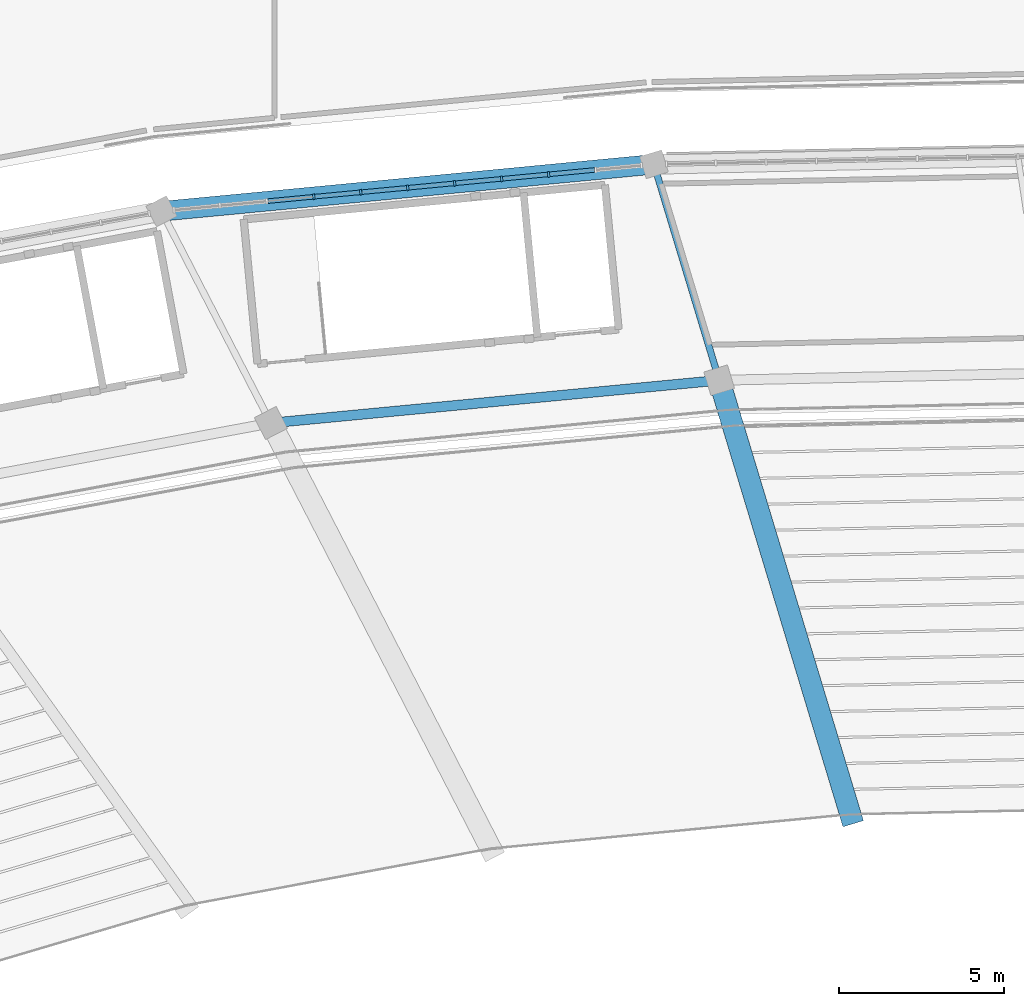
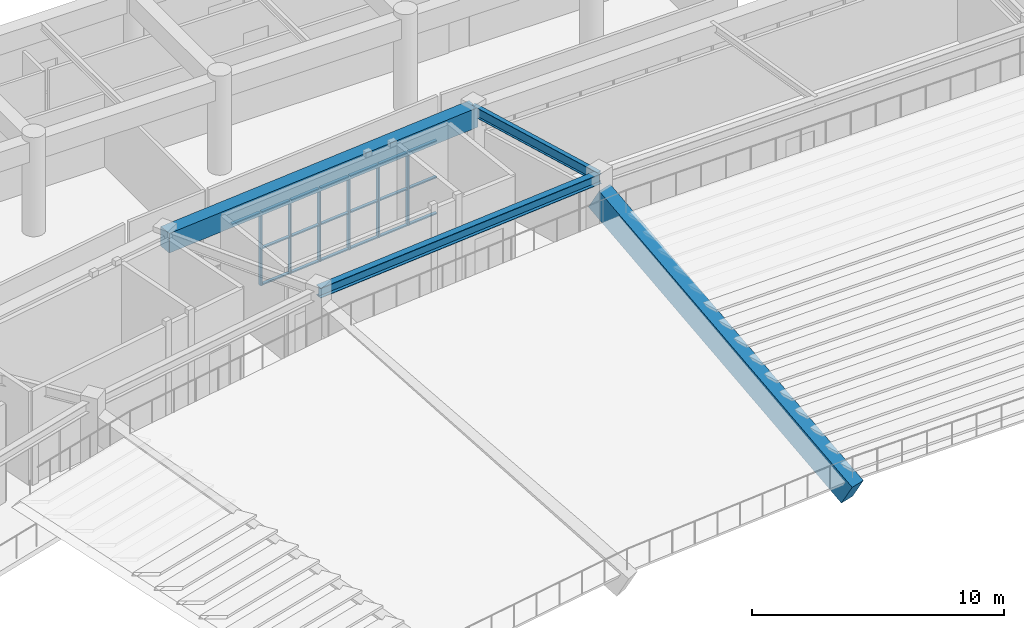
# One storey, part 59 of 137: 25 members, 4 beams, 1 element without a shape of its own.
"""IFC4 building model written with IfcOpenShell, lengths in metres."""

import ifcopenshell
import ifcopenshell.guid

model = None  # the IFC model being written
_history = None  # IfcOwnerHistory: only IFC2X3 demands one
_inside = {}  # id of a spatial element -> (the spatial element, [elements in it])
_under = {}  # id of a project, library or spatial element -> (it, [spatial elements below it])
_declared = {}  # id of a project -> (the project, [libraries it declares])
_typed = {}  # id of a type object -> (the type object, [elements of that type])
_made_of = {}  # id of a material, layer set ... -> (it, [elements and type objects made of it])


def new_model(schema):
    """Start an empty IFC model of exactly this schema.

    Asked for "IFC4X3", IfcOpenShell would pick the latest addendum, in which some entities
    have other attributes; the version numbers below select the first issue.
    IFC2X3 requires an IfcOwnerHistory on every rooted entity: one is made here for all.
    """
    global model, _history
    if schema == "IFC4X3":
        model = ifcopenshell.file(schema_version=(4, 3, 0, 0))
    else:
        model = ifcopenshell.file(schema=schema)
    _inside.clear()
    _under.clear()
    _declared.clear()
    _typed.clear()
    _made_of.clear()
    _history = None
    if model.schema == "IFC2X3":
        org = make("IfcOrganization", Name="unknown")
        user = make(
            "IfcPersonAndOrganization",
            ThePerson=make("IfcPerson", FamilyName="unknown"),
            TheOrganization=org,
        )
        app = make(
            "IfcApplication",
            ApplicationDeveloper=org,
            Version="unknown",
            ApplicationFullName="unknown",
            ApplicationIdentifier="unknown",
        )
        _history = make(
            "IfcOwnerHistory",
            OwningUser=user,
            OwningApplication=app,
            ChangeAction="ADDED",
            CreationDate=0,
        )
    return model


def make(cls, **values):
    """One entity of the class cls with the attributes given. An attribute that is None is left unset."""
    return model.create_entity(
        cls, **{name: value for name, value in values.items() if value is not None}
    )


def rooted(cls, **values):
    """An entity with a GlobalId (a new one), such as an element, a storey or a relation."""
    return make(cls, GlobalId=ifcopenshell.guid.new(), OwnerHistory=_history, **values)


def si_unit(unit_type, name, prefix=None):
    """IfcSIUnit, for example si_unit("LENGTHUNIT", "METRE", prefix="MILLI")."""
    return make("IfcSIUnit", UnitType=unit_type, Prefix=prefix, Name=name)


def assignment(units):
    """IfcUnitAssignment: the units of a project."""
    return None if units is None else make("IfcUnitAssignment", Units=units)


def point(xyz):
    """IfcCartesianPoint."""
    return None if xyz is None else make("IfcCartesianPoint", Coordinates=xyz)


def direction(xyz):
    """IfcDirection."""
    return None if xyz is None else make("IfcDirection", DirectionRatios=xyz)


def frame(location, z_axis=None, x_axis=None):
    """IfcAxis2Placement3D, a coordinate frame: its origin and axes. An axis left out is left unset."""
    return make(
        "IfcAxis2Placement3D",
        Location=point(location),
        Axis=direction(z_axis),
        RefDirection=direction(x_axis),
    )


def frame_2d(location, x_axis=None):
    """IfcAxis2Placement2D, a coordinate frame in the plane: its origin and x axis."""
    return make(
        "IfcAxis2Placement2D", Location=point(location), RefDirection=direction(x_axis)
    )


def origin():
    """The frame at (0, 0, 0) with its axes left unset."""
    return frame((0.0, 0.0, 0.0))


def origin_2d():
    """The frame at (0, 0) in the plane with its x axis left unset."""
    return frame_2d((0.0, 0.0))


def place(relative_to, where):
    """IfcLocalPlacement: puts the frame where relative to a parent placement (None: the world)."""
    return make(
        "IfcLocalPlacement", PlacementRelTo=relative_to, RelativePlacement=where
    )


def context(
    kind, dimensions, precision=None, world=None, true_north=None, identifier=None
):
    """IfcGeometricRepresentationContext, for example the 3D "Model" context."""
    return make(
        "IfcGeometricRepresentationContext",
        ContextIdentifier=identifier,
        ContextType=kind,
        CoordinateSpaceDimension=dimensions,
        Precision=precision,
        WorldCoordinateSystem=world,
        TrueNorth=true_north,
    )


def subcontext(parent, identifier, kind, view, scale=None):
    """IfcGeometricRepresentationSubContext, for example "Body" below "Model"."""
    return make(
        "IfcGeometricRepresentationSubContext",
        ContextIdentifier=identifier,
        ContextType=kind,
        ParentContext=parent,
        TargetScale=scale,
        TargetView=view,
    )


def project(units=None, contexts=None):
    """IfcProject with its units and contexts."""
    return rooted(
        "IfcProject",
        Name="project",
        RepresentationContexts=contexts,
        UnitsInContext=assignment(units),
    )


def spatial(cls, under=None, at=None, **own):
    """A site, building, storey or space (cls), placed at a placement, below another one or the project."""
    s = rooted(cls, ObjectPlacement=at, **own)
    if under is not None:
        _under.setdefault(under.id(), (under, []))[1].append(s)
    return s


def profile(cls, at=None, kind="AREA", **sizes):
    """A parametric profile (cls). Its sizes go by their IFC names, for example OverallWidth=200.0."""
    return make(cls, ProfileType=kind, Position=at, **sizes)


def rectangle(**sizes):
    """IfcRectangleProfileDef."""
    return profile("IfcRectangleProfileDef", **sizes)


def i_section(**sizes):
    """IfcIShapeProfileDef."""
    return profile("IfcIShapeProfileDef", **sizes)


def extrude(swept, where, along, depth):
    """IfcExtrudedAreaSolid: the profile swept, set in the frame where, extruded along a direction by depth."""
    return make(
        "IfcExtrudedAreaSolid",
        SweptArea=swept,
        Position=where,
        ExtrudedDirection=direction(along),
        Depth=depth,
    )


def shape(context_of_items, identifier, shape_type, items):
    """IfcShapeRepresentation: the items that make up one representation, for example the "Body"."""
    return make(
        "IfcShapeRepresentation",
        ContextOfItems=context_of_items,
        RepresentationIdentifier=identifier,
        RepresentationType=shape_type,
        Items=items,
    )


def material(Name=None, Category=None):
    """IfcMaterial."""
    return make("IfcMaterial", Name=Name, Category=Category)


def layer(
    of_material, thickness, ventilated=None, Name=None, Category=None, Priority=None
):
    """IfcMaterialLayer: one layer of a wall or slab, of a material (None: an air gap)."""
    return make(
        "IfcMaterialLayer",
        Material=of_material,
        LayerThickness=thickness,
        IsVentilated=ventilated,
        Name=Name,
        Category=Category,
        Priority=Priority,
    )


def layer_set(layers, Name=None):
    """IfcMaterialLayerSet."""
    return make("IfcMaterialLayerSet", MaterialLayers=layers, LayerSetName=Name)


def material_profile(
    of_material, cross_section, Name=None, Category=None, Priority=None
):
    """IfcMaterialProfile: a cross section and its material."""
    return make(
        "IfcMaterialProfile",
        Name=Name,
        Material=of_material,
        Profile=cross_section,
        Priority=Priority,
        Category=Category,
    )


def profile_set(profiles, Name=None, composite=None):
    """IfcMaterialProfileSet."""
    return make(
        "IfcMaterialProfileSet",
        Name=Name,
        MaterialProfiles=profiles,
        CompositeProfile=composite,
    )


def made_of(thing, what):
    """Note that an element or type object is made of a material, layer set ...; save() writes the relation."""
    if what is not None:
        _made_of.setdefault(what.id(), (what, []))[1].append(thing)
    return thing


def type_object(cls, material=None, **own):
    """A type object (cls), such as IfcWallType, which elements share."""
    return made_of(rooted(cls, **own), material)


def element(
    cls,
    number,
    at=None,
    inside=None,
    cuts=None,
    type_object=None,
    material=None,
    context=None,
    identifier="Body",
    shape_type=None,
    held_by="IfcProductDefinitionShape",
    body=None,
    shapes=None,
    **own,
):
    """One element of the class cls, such as IfcWall. Its Tag is "e" and its number.

    at: its placement. inside: the storey or other place that contains it. cuts: it is an
    opening in that element (IfcRelVoidsElement). A single representation is given by context,
    identifier, shape_type and body (its items); several are given by shapes. held_by: the class
    of the entity that holds the representations. save() writes the other relations.
    """
    e = rooted(cls, Tag="e%d" % number, ObjectPlacement=at, **own)
    if body is not None:
        shapes = [shape(context, identifier, shape_type, body)]
    if shapes is not None:
        e.Representation = make(held_by, Representations=shapes)
    if inside is not None:
        _inside.setdefault(inside.id(), (inside, []))[1].append(e)
    if cuts is not None:
        rooted(
            "IfcRelVoidsElement", RelatingBuildingElement=cuts, RelatedOpeningElement=e
        )
    if type_object is not None:
        _typed.setdefault(type_object.id(), (type_object, []))[1].append(e)
    return made_of(e, material)


def aggregate(whole, parts):
    """IfcRelAggregates: a whole, such as a stair, and the parts it consists of."""
    return rooted("IfcRelAggregates", RelatingObject=whole, RelatedObjects=parts)


def save(model, path):
    """Write the relations noted so far, then the file.

    IfcRelAggregates (storeys below a building ...), IfcRelContainedInSpatialStructure (elements
    in a storey), IfcRelDefinesByType, IfcRelAssociatesMaterial and IfcRelDeclares: one each for
    every whole, place, type object, material and project.
    """
    for whole, parts in _under.values():
        aggregate(whole, parts)
    for where, things in _inside.values():
        rooted(
            "IfcRelContainedInSpatialStructure",
            RelatedElements=things,
            RelatingStructure=where,
        )
    for kind, things in _typed.values():
        rooted("IfcRelDefinesByType", RelatedObjects=things, RelatingType=kind)
    for what, things in _made_of.values():
        rooted("IfcRelAssociatesMaterial", RelatedObjects=things, RelatingMaterial=what)
    for by, libraries in _declared.values():
        rooted("IfcRelDeclares", RelatingContext=by, RelatedDefinitions=libraries)
    model.write(path)


model = new_model("IFC4")

# Units and contexts
model_context = context("Model", 3, precision=1e-05, world=origin(), true_north=direction((0.0, 1.0)))
body_context = subcontext(model_context, "Body", "Model", "MODEL_VIEW")
ifc_project = project(units=[si_unit("LENGTHUNIT", "METRE"), si_unit("AREAUNIT", "SQUARE_METRE"), si_unit("VOLUMEUNIT", "CUBIC_METRE"), si_unit("PLANEANGLEUNIT", "RADIAN"), si_unit("MASSUNIT", "GRAM", prefix="KILO")], contexts=[model_context])

# Site, building, storey
site_placement = place(None, origin())
site = spatial("IfcSite", under=ifc_project, at=site_placement, CompositionType="ELEMENT")
building_placement = place(site_placement, origin())
building = spatial("IfcBuilding", under=site, at=building_placement, Name="Mphavela Belvedere Stadium", CompositionType="ELEMENT")
storey_placement = place(building_placement, frame((0.0, 0.0, 19.199951171875)))
storey = spatial("IfcBuildingStorey", under=building, at=storey_placement, Name="L04", CompositionType="ELEMENT", Elevation=19.199951171875)

# Beams
ifc_material_1 = material(Name="Concrete C40/50", Category="concrete")
ifc_material_profile_1 = material_profile(ifc_material_1, rectangle(XDim=0.60009765625, YDim=0.949951171875, at=origin_2d()), Name="RC 600x950")
ifc_profile_set_1 = profile_set([ifc_material_profile_1], Name="Concrete C40/50")
beam_type_1 = type_object("IfcBeamType", Name="BM-ENTABLATURE-950", PredefinedType="SPANDREL", material=ifc_profile_set_1)
beam_1_placement = place(storey_placement, frame((92.885498046875, 160.19384765625, 4.074951171875), z_axis=(-0.995483415661, -0.094935605244, 0.0), x_axis=(0.094935605244, -0.995483415661, 0.0)))
element("IfcBeam", 1, at=beam_1_placement, inside=storey, type_object=beam_type_1, Name="Circumferential girder L04 R4-14", PredefinedType="SPANDREL", context=body_context, shape_type="SweptSolid", body=[
    extrude(rectangle(XDim=0.60009765625, YDim=0.949951171875, at=origin_2d()), origin(), (0.0, 0.0, 1.0), 15.026123046875),
])
ifc_material_2 = material(Name="Precast concrete C45/55", Category="concrete")
ifc_material_profile_2 = material_profile(ifc_material_2, rectangle(XDim=0.64990234375, YDim=1.199951171875, at=origin_2d()), Name="PC 650x1200")
ifc_profile_set_2 = profile_set([ifc_material_profile_2], Name="Precast concrete C45/55")
beam_type_2 = type_object("IfcBeamType", Name="BM-RAKER-UPPER", PredefinedType="USERDEFINED", material=ifc_profile_set_2)
beam_2_placement = place(storey_placement, frame((98.85205078125, 140.4453125, -4.349853515625), z_axis=(-0.252083378261, 0.83432154007, 0.490266803058), x_axis=(-0.957260157301, -0.289228268404, 0.0)))
element("IfcBeam", 2, at=beam_2_placement, inside=storey, type_object=beam_type_2, Name="Upper tier precast cantilever raker beam RK-U-14", ObjectType="RAKER BEAM", PredefinedType="USERDEFINED", context=body_context, shape_type="SweptSolid", body=[
    extrude(rectangle(XDim=0.64990234375, YDim=1.199951171875, at=origin_2d()), origin(), (0.0, 0.0, 1.0), 15.8076171875),
])
ifc_material_3 = material(Name="Steel S355", Category="steel")
ifc_material_profile_3 = material_profile(ifc_material_3, i_section(OverallWidth=0.300048828125, OverallDepth=0.489990234375, WebThickness=0.011962890625, FlangeThickness=0.02294921875, at=origin_2d()), Name="HEA 500")
ifc_profile_set_3 = profile_set([ifc_material_profile_3], Name="Steel S355")
beam_type_3 = type_object("IfcBeamType", Name="BM-STEEL-HEA500", PredefinedType="BEAM", material=ifc_profile_set_3)
beam_3_placement = place(storey_placement, frame((94.8671875, 153.634033203125, 4.304931640625), z_axis=(-0.995483834103, -0.094931217412, 0.0), x_axis=(0.094931217412, -0.995483834103, 0.0)))
element("IfcBeam", 3, at=beam_3_placement, inside=storey, type_object=beam_type_3, Name="Circumferential girder L04 R3-14", PredefinedType="BEAM", context=body_context, shape_type="SweptSolid", body=[
    extrude(i_section(OverallWidth=0.300048828125, OverallDepth=0.489990234375, WebThickness=0.011962890625, FlangeThickness=0.02294921875, at=origin_2d()), origin(), (0.0, 0.0, 1.0), 13.67919921875),
])
ifc_material_4 = material(Name="Steel S355", Category="steel")
ifc_material_profile_4 = material_profile(ifc_material_4, i_section(OverallWidth=0.199951171875, OverallDepth=0.5, WebThickness=0.01025390625, FlangeThickness=0.01611328125, at=origin_2d()), Name="IPE 500")
ifc_profile_set_4 = profile_set([ifc_material_profile_4], Name="Steel S355")
beam_type_4 = type_object("IfcBeamType", Name="BM-STEEL-IPE500", PredefinedType="BEAM", material=ifc_profile_set_4)
beam_4_placement = place(storey_placement, frame((94.8671875, 153.634033203125, 4.300048828125), z_axis=(-0.28918755919, 0.95727245631, 0.0), x_axis=(-0.95727245631, -0.28918755919, 0.0)))
element("IfcBeam", 4, at=beam_4_placement, inside=storey, type_object=beam_type_4, Name="Radial concourse girder L04 R3R4-14", PredefinedType="BEAM", context=body_context, shape_type="SweptSolid", body=[
    extrude(i_section(OverallWidth=0.199951171875, OverallDepth=0.5, WebThickness=0.01025390625, FlangeThickness=0.01611328125, at=origin_2d()), origin(), (0.0, 0.0, 1.0), 6.8525390625),
])

# Curtain wall, members
ifc_material_5 = material(Name="Anodised bronze unitised curtain wall framing")
ifc_layer = layer(ifc_material_5, 0.195068359375)
ifc_layer_set = layer_set([ifc_layer], Name="Anodised bronze unitised curtain wall framing")
curtain_wall_type = type_object("IfcCurtainWallType", Name="CW-UNIT-04", PredefinedType="USERDEFINED", material=ifc_layer_set)
curtain_wall_placement = place(storey_placement, origin())
curtain_wall = element("IfcCurtainWall", 5, at=curtain_wall_placement, inside=storey, type_object=curtain_wall_type, Name="Belvedere colonnade curtain wall L04-14", ObjectType="UNITISED CURTAIN WALL", PredefinedType="USERDEFINED")
ifc_material_6 = material(Name="Anodised bronze extruded aluminium", Category="aluminium")
ifc_material_profile_5 = material_profile(ifc_material_6, rectangle(XDim=0.179931640625, YDim=0.06494140625, at=origin_2d()), Name="CW-MUL 180x65")
ifc_profile_set_5 = profile_set([ifc_material_profile_5], Name="Anodised bronze extruded aluminium")
member_type_1 = type_object("IfcMemberType", Name="CWM-180x65", PredefinedType="MULLION", material=ifc_profile_set_5)
member_1_placement = place(storey_placement, frame((89.68603515625, 159.888671875, 0.0), z_axis=(0.0, 0.0, 1.0), x_axis=(0.094932913757, -0.995483672335, 0.0)))
member_1 = element("IfcMember", 6, at=member_1_placement, type_object=member_type_1, Name="CW-04 mullion 3", PredefinedType="MULLION", context=body_context, shape_type="SweptSolid", body=[
    extrude(rectangle(XDim=0.179931640625, YDim=0.06494140625, at=origin_2d()), origin(), (0.0, 0.0, 1.0), 3.570068359375),
])
member_2_placement = place(storey_placement, frame((88.25927734375, 159.752685546875, 0.0), z_axis=(0.0, 0.0, 1.0), x_axis=(0.094932913757, -0.995483672335, 0.0)))
member_2 = element("IfcMember", 7, at=member_2_placement, type_object=member_type_1, Name="CW-04 mullion 4", PredefinedType="MULLION", context=body_context, shape_type="SweptSolid", body=[
    extrude(rectangle(XDim=0.179931640625, YDim=0.06494140625, at=origin_2d()), origin(), (0.0, 0.0, 1.0), 3.570068359375),
])
member_3_placement = place(storey_placement, frame((86.832763671875, 159.61669921875, 0.0), z_axis=(0.0, 0.0, 1.0), x_axis=(0.094932913757, -0.995483672335, 0.0)))
member_3 = element("IfcMember", 8, at=member_3_placement, type_object=member_type_1, Name="CW-04 mullion 5", PredefinedType="MULLION", context=body_context, shape_type="SweptSolid", body=[
    extrude(rectangle(XDim=0.179931640625, YDim=0.06494140625, at=origin_2d()), origin(), (0.0, 0.0, 1.0), 3.570068359375),
])
member_4_placement = place(storey_placement, frame((85.40625, 159.480712890625, 0.0), z_axis=(0.0, 0.0, 1.0), x_axis=(0.094932913757, -0.995483672335, 0.0)))
member_4 = element("IfcMember", 9, at=member_4_placement, type_object=member_type_1, Name="CW-04 mullion 6", PredefinedType="MULLION", context=body_context, shape_type="SweptSolid", body=[
    extrude(rectangle(XDim=0.179931640625, YDim=0.06494140625, at=origin_2d()), origin(), (0.0, 0.0, 1.0), 3.570068359375),
])
member_5_placement = place(storey_placement, frame((83.979736328125, 159.344482421875, 0.0), z_axis=(0.0, 0.0, 1.0), x_axis=(0.094932913757, -0.995483672335, 0.0)))
member_5 = element("IfcMember", 10, at=member_5_placement, type_object=member_type_1, Name="CW-04 mullion 7", PredefinedType="MULLION", context=body_context, shape_type="SweptSolid", body=[
    extrude(rectangle(XDim=0.179931640625, YDim=0.06494140625, at=origin_2d()), origin(), (0.0, 0.0, 1.0), 3.570068359375),
])
member_6_placement = place(storey_placement, frame((82.55322265625, 159.20849609375, 0.0), z_axis=(0.0, 0.0, 1.0), x_axis=(0.094932913757, -0.995483672335, 0.0)))
member_6 = element("IfcMember", 11, at=member_6_placement, type_object=member_type_1, Name="CW-04 mullion 8", PredefinedType="MULLION", context=body_context, shape_type="SweptSolid", body=[
    extrude(rectangle(XDim=0.179931640625, YDim=0.06494140625, at=origin_2d()), origin(), (0.0, 0.0, 1.0), 3.570068359375),
])
ifc_material_7 = material(Name="Anodised bronze extruded aluminium", Category="aluminium")
ifc_material_profile_6 = material_profile(ifc_material_7, rectangle(XDim=0.139892578125, YDim=0.06005859375, at=origin_2d()), Name="CW-TRN 140x60")
ifc_profile_set_6 = profile_set([ifc_material_profile_6], Name="Anodised bronze extruded aluminium")
member_type_2 = type_object("IfcMemberType", Name="CWT-140x60", PredefinedType="USERDEFINED", material=ifc_profile_set_6)
member_7_placement = place(storey_placement, frame((91.080078125, 160.021728515625, 0.030029296875), z_axis=(-0.995482629973, -0.094943843518, 0.0), x_axis=(0.094943843518, -0.995482629973, 0.0)))
member_7 = element("IfcMember", 12, at=member_7_placement, type_object=member_type_2, Name="CW-04 transom 2.1", ObjectType="TRANSOM", PredefinedType="USERDEFINED", context=body_context, shape_type="SweptSolid", body=[
    extrude(rectangle(XDim=0.139892578125, YDim=0.06005859375, at=origin_2d()), origin(), (0.0, 0.0, 1.0), 1.367919921875),
])
member_8_placement = place(storey_placement, frame((91.080078125, 160.021728515625, 1.78515625), z_axis=(-0.995482629973, -0.094943843518, 0.0), x_axis=(0.094943843518, -0.995482629973, 0.0)))
member_8 = element("IfcMember", 13, at=member_8_placement, type_object=member_type_2, Name="CW-04 transom 2.2", ObjectType="TRANSOM", PredefinedType="USERDEFINED", context=body_context, shape_type="SweptSolid", body=[
    extrude(rectangle(XDim=0.139892578125, YDim=0.06005859375, at=origin_2d()), origin(), (0.0, 0.0, 1.0), 1.367919921875),
])
member_9_placement = place(storey_placement, frame((91.080078125, 160.021728515625, 3.5400390625), z_axis=(-0.995482629973, -0.094943843518, 0.0), x_axis=(0.094943843518, -0.995482629973, 0.0)))
member_9 = element("IfcMember", 14, at=member_9_placement, type_object=member_type_2, Name="CW-04 transom 2.3", ObjectType="TRANSOM", PredefinedType="USERDEFINED", context=body_context, shape_type="SweptSolid", body=[
    extrude(rectangle(XDim=0.139892578125, YDim=0.06005859375, at=origin_2d()), origin(), (0.0, 0.0, 1.0), 1.367919921875),
])
member_10_placement = place(storey_placement, frame((89.653564453125, 159.8857421875, 0.030029296875), z_axis=(-0.995482629973, -0.094943843518, 0.0), x_axis=(0.094943843518, -0.995482629973, 0.0)))
member_10 = element("IfcMember", 15, at=member_10_placement, type_object=member_type_2, Name="CW-04 transom 3.1", ObjectType="TRANSOM", PredefinedType="USERDEFINED", context=body_context, shape_type="SweptSolid", body=[
    extrude(rectangle(XDim=0.139892578125, YDim=0.06005859375, at=origin_2d()), origin(), (0.0, 0.0, 1.0), 1.367919921875),
])
member_11_placement = place(storey_placement, frame((89.653564453125, 159.8857421875, 1.78515625), z_axis=(-0.995482629973, -0.094943843518, 0.0), x_axis=(0.094943843518, -0.995482629973, 0.0)))
member_11 = element("IfcMember", 16, at=member_11_placement, type_object=member_type_2, Name="CW-04 transom 3.2", ObjectType="TRANSOM", PredefinedType="USERDEFINED", context=body_context, shape_type="SweptSolid", body=[
    extrude(rectangle(XDim=0.139892578125, YDim=0.06005859375, at=origin_2d()), origin(), (0.0, 0.0, 1.0), 1.367919921875),
])
member_12_placement = place(storey_placement, frame((89.653564453125, 159.8857421875, 3.5400390625), z_axis=(-0.995482629973, -0.094943843518, 0.0), x_axis=(0.094943843518, -0.995482629973, 0.0)))
member_12 = element("IfcMember", 17, at=member_12_placement, type_object=member_type_2, Name="CW-04 transom 3.3", ObjectType="TRANSOM", PredefinedType="USERDEFINED", context=body_context, shape_type="SweptSolid", body=[
    extrude(rectangle(XDim=0.139892578125, YDim=0.06005859375, at=origin_2d()), origin(), (0.0, 0.0, 1.0), 1.367919921875),
])
member_13_placement = place(storey_placement, frame((88.22705078125, 159.74951171875, 0.030029296875), z_axis=(-0.995482629973, -0.094943843518, 0.0), x_axis=(0.094943843518, -0.995482629973, 0.0)))
member_13 = element("IfcMember", 18, at=member_13_placement, type_object=member_type_2, Name="CW-04 transom 4.1", ObjectType="TRANSOM", PredefinedType="USERDEFINED", context=body_context, shape_type="SweptSolid", body=[
    extrude(rectangle(XDim=0.139892578125, YDim=0.06005859375, at=origin_2d()), origin(), (0.0, 0.0, 1.0), 1.367919921875),
])
member_14_placement = place(storey_placement, frame((88.22705078125, 159.74951171875, 1.78515625), z_axis=(-0.995482629973, -0.094943843518, 0.0), x_axis=(0.094943843518, -0.995482629973, 0.0)))
member_14 = element("IfcMember", 19, at=member_14_placement, type_object=member_type_2, Name="CW-04 transom 4.2", ObjectType="TRANSOM", PredefinedType="USERDEFINED", context=body_context, shape_type="SweptSolid", body=[
    extrude(rectangle(XDim=0.139892578125, YDim=0.06005859375, at=origin_2d()), origin(), (0.0, 0.0, 1.0), 1.367919921875),
])
member_15_placement = place(storey_placement, frame((88.22705078125, 159.74951171875, 3.5400390625), z_axis=(-0.995482629973, -0.094943843518, 0.0), x_axis=(0.094943843518, -0.995482629973, 0.0)))
member_15 = element("IfcMember", 20, at=member_15_placement, type_object=member_type_2, Name="CW-04 transom 4.3", ObjectType="TRANSOM", PredefinedType="USERDEFINED", context=body_context, shape_type="SweptSolid", body=[
    extrude(rectangle(XDim=0.139892578125, YDim=0.06005859375, at=origin_2d()), origin(), (0.0, 0.0, 1.0), 1.367919921875),
])
member_16_placement = place(storey_placement, frame((86.800537109375, 159.613525390625, 0.030029296875), z_axis=(-0.995482629973, -0.094943843518, 0.0), x_axis=(0.094943843518, -0.995482629973, 0.0)))
member_16 = element("IfcMember", 21, at=member_16_placement, type_object=member_type_2, Name="CW-04 transom 5.1", ObjectType="TRANSOM", PredefinedType="USERDEFINED", context=body_context, shape_type="SweptSolid", body=[
    extrude(rectangle(XDim=0.139892578125, YDim=0.06005859375, at=origin_2d()), origin(), (0.0, 0.0, 1.0), 1.367919921875),
])
member_17_placement = place(storey_placement, frame((86.800537109375, 159.613525390625, 1.78515625), z_axis=(-0.995482629973, -0.094943843518, 0.0), x_axis=(0.094943843518, -0.995482629973, 0.0)))
member_17 = element("IfcMember", 22, at=member_17_placement, type_object=member_type_2, Name="CW-04 transom 5.2", ObjectType="TRANSOM", PredefinedType="USERDEFINED", context=body_context, shape_type="SweptSolid", body=[
    extrude(rectangle(XDim=0.139892578125, YDim=0.06005859375, at=origin_2d()), origin(), (0.0, 0.0, 1.0), 1.367919921875),
])
member_18_placement = place(storey_placement, frame((86.800537109375, 159.613525390625, 3.5400390625), z_axis=(-0.995482629973, -0.094943843518, 0.0), x_axis=(0.094943843518, -0.995482629973, 0.0)))
member_18 = element("IfcMember", 23, at=member_18_placement, type_object=member_type_2, Name="CW-04 transom 5.3", ObjectType="TRANSOM", PredefinedType="USERDEFINED", context=body_context, shape_type="SweptSolid", body=[
    extrude(rectangle(XDim=0.139892578125, YDim=0.06005859375, at=origin_2d()), origin(), (0.0, 0.0, 1.0), 1.367919921875),
])
member_19_placement = place(storey_placement, frame((85.3740234375, 159.4775390625, 0.030029296875), z_axis=(-0.995482629973, -0.094943843518, 0.0), x_axis=(0.094943843518, -0.995482629973, 0.0)))
member_19 = element("IfcMember", 24, at=member_19_placement, type_object=member_type_2, Name="CW-04 transom 6.1", ObjectType="TRANSOM", PredefinedType="USERDEFINED", context=body_context, shape_type="SweptSolid", body=[
    extrude(rectangle(XDim=0.139892578125, YDim=0.06005859375, at=origin_2d()), origin(), (0.0, 0.0, 1.0), 1.367919921875),
])
member_20_placement = place(storey_placement, frame((85.3740234375, 159.4775390625, 1.78515625), z_axis=(-0.995482629973, -0.094943843518, 0.0), x_axis=(0.094943843518, -0.995482629973, 0.0)))
member_20 = element("IfcMember", 25, at=member_20_placement, type_object=member_type_2, Name="CW-04 transom 6.2", ObjectType="TRANSOM", PredefinedType="USERDEFINED", context=body_context, shape_type="SweptSolid", body=[
    extrude(rectangle(XDim=0.139892578125, YDim=0.06005859375, at=origin_2d()), origin(), (0.0, 0.0, 1.0), 1.367919921875),
])
member_21_placement = place(storey_placement, frame((85.3740234375, 159.4775390625, 3.5400390625), z_axis=(-0.995482629973, -0.094943843518, 0.0), x_axis=(0.094943843518, -0.995482629973, 0.0)))
member_21 = element("IfcMember", 26, at=member_21_placement, type_object=member_type_2, Name="CW-04 transom 6.3", ObjectType="TRANSOM", PredefinedType="USERDEFINED", context=body_context, shape_type="SweptSolid", body=[
    extrude(rectangle(XDim=0.139892578125, YDim=0.06005859375, at=origin_2d()), origin(), (0.0, 0.0, 1.0), 1.367919921875),
])
member_22_placement = place(storey_placement, frame((83.947509765625, 159.341552734375, 0.030029296875), z_axis=(-0.995482629973, -0.094943843518, 0.0), x_axis=(0.094943843518, -0.995482629973, 0.0)))
member_22 = element("IfcMember", 27, at=member_22_placement, type_object=member_type_2, Name="CW-04 transom 7.1", ObjectType="TRANSOM", PredefinedType="USERDEFINED", context=body_context, shape_type="SweptSolid", body=[
    extrude(rectangle(XDim=0.139892578125, YDim=0.06005859375, at=origin_2d()), origin(), (0.0, 0.0, 1.0), 1.367919921875),
])
member_23_placement = place(storey_placement, frame((83.947509765625, 159.341552734375, 1.78515625), z_axis=(-0.995482629973, -0.094943843518, 0.0), x_axis=(0.094943843518, -0.995482629973, 0.0)))
member_23 = element("IfcMember", 28, at=member_23_placement, type_object=member_type_2, Name="CW-04 transom 7.2", ObjectType="TRANSOM", PredefinedType="USERDEFINED", context=body_context, shape_type="SweptSolid", body=[
    extrude(rectangle(XDim=0.139892578125, YDim=0.06005859375, at=origin_2d()), origin(), (0.0, 0.0, 1.0), 1.367919921875),
])
member_24_placement = place(storey_placement, frame((83.947509765625, 159.341552734375, 3.5400390625), z_axis=(-0.995482629973, -0.094943843518, 0.0), x_axis=(0.094943843518, -0.995482629973, 0.0)))
member_24 = element("IfcMember", 29, at=member_24_placement, type_object=member_type_2, Name="CW-04 transom 7.3", ObjectType="TRANSOM", PredefinedType="USERDEFINED", context=body_context, shape_type="SweptSolid", body=[
    extrude(rectangle(XDim=0.139892578125, YDim=0.06005859375, at=origin_2d()), origin(), (0.0, 0.0, 1.0), 1.367919921875),
])
member_25_placement = place(storey_placement, frame((82.520751953125, 159.205322265625, 3.5400390625), z_axis=(-0.99549948224, -0.094766981906, 0.0), x_axis=(0.094766981906, -0.99549948224, 0.0)))
member_25 = element("IfcMember", 30, at=member_25_placement, type_object=member_type_2, Name="CW-04 transom 8.3", ObjectType="TRANSOM", PredefinedType="USERDEFINED", context=body_context, shape_type="SweptSolid", body=[
    extrude(rectangle(XDim=0.139892578125, YDim=0.06005859375, at=origin_2d()), origin(), (0.0, 0.0, 1.0), 1.367919921875),
])
aggregate(curtain_wall, [member_1, member_2, member_3, member_4, member_5, member_6, member_7, member_8, member_9, member_10, member_11, member_12, member_13, member_14, member_15, member_16, member_17, member_18, member_19, member_20, member_21, member_22, member_23, member_24, member_25])

save(model, "model.ifc")
